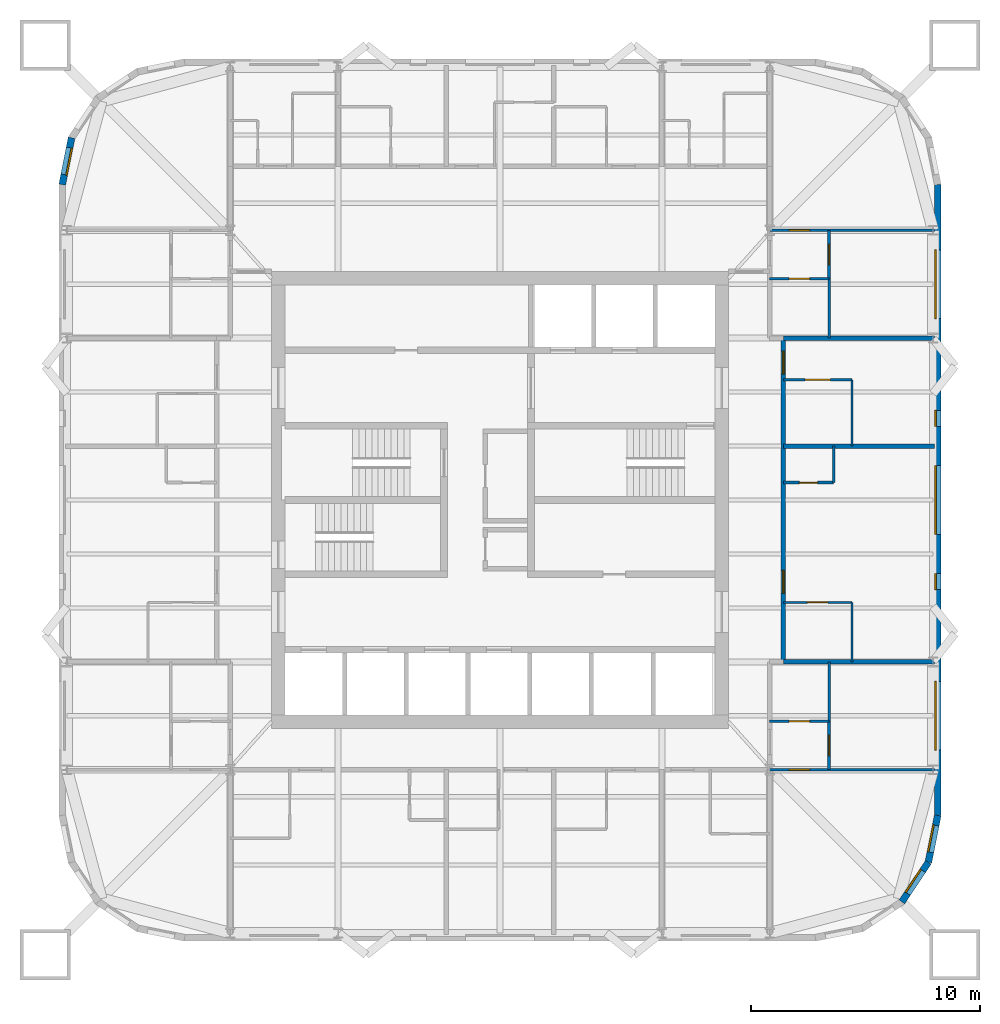
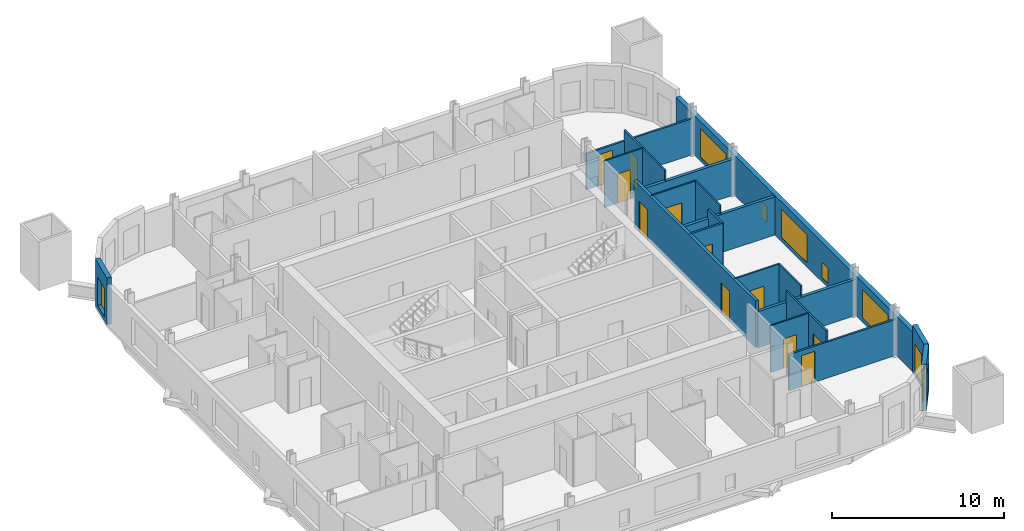
# One storey, part 6 of 9: 22 walls, 11 doors, 8 windows, 19 openings.
"""IFC4 building model written with IfcOpenShell, lengths in metres."""

from ifc_helpers import new_model, si_unit, direction, frame, frame_2d, origin, place, context, subcontext, project, spatial, rectangle, extrude, material, layer, layer_set, type_object, element, fill, save


model = new_model("IFC4")

# Units and contexts
model_context = context("Model", 3, precision=1e-05, world=origin(), true_north=direction((0.0, 1.0)))
body_context = subcontext(model_context, "Body", "Model", "MODEL_VIEW")
ifc_project = project(units=[si_unit("LENGTHUNIT", "METRE"), si_unit("AREAUNIT", "SQUARE_METRE"), si_unit("VOLUMEUNIT", "CUBIC_METRE"), si_unit("PLANEANGLEUNIT", "RADIAN"), si_unit("MASSUNIT", "GRAM", prefix="KILO")], contexts=[model_context])

# Site, building, storey
site_placement = place(None, origin())
site = spatial("IfcSite", under=ifc_project, at=site_placement, CompositionType="ELEMENT")
building_placement = place(site_placement, origin())
building = spatial("IfcBuilding", under=site, at=building_placement, Name="Turquesa Mirador Hotel Tower", CompositionType="ELEMENT")
storey_placement = place(building_placement, frame((0.0, 0.0, 182.800048828125)))
storey = spatial("IfcBuildingStorey", under=building, at=storey_placement, Name="L49", CompositionType="ELEMENT", Elevation=182.800048828125)

# Wall, opening, door
ifc_material_1 = material(Name="Gypsum board on steel studs", Category="steel")
ifc_layer_1 = layer(ifc_material_1, 0.10009765625)
ifc_layer_set_1 = layer_set([ifc_layer_1], Name="BATHROOM WALL 100")
wall_type_1 = type_object("IfcWallType", Name="BATHROOM WALL 100", PredefinedType="PARTITIONING", material=ifc_layer_set_1)
wall_1_placement = place(storey_placement, frame((67.39990234375, 40.52001953125, 0.0), z_axis=(0.0, 0.0, 1.0), x_axis=(1.0, 0.0, 0.0)))
wall_1 = element("IfcWall", 1, at=wall_1_placement, inside=storey, type_object=wall_type_1, Name="Partition L49 010", PredefinedType="PARTITIONING", context=body_context, shape_type="SweptSolid", body=[
    extrude(rectangle(XDim=3.0, YDim=0.10009765625, at=frame_2d((1.5, 0.0))), origin(), (0.0, 0.0, 1.0), 3.329833984375),
])
opening_1_placement = place(wall_1_placement, frame((1.050048828125, 0.0, 0.0)))
opening_1 = element("IfcOpeningElement", 2, at=opening_1_placement, cuts=wall_1, Name="Opening D02", PredefinedType="OPENING", context=body_context, shape_type="SweptSolid", body=[
    extrude(rectangle(XDim=0.89990234375, YDim=2.10009765625, at=frame_2d((0.449951171875, 1.050048828125))), frame((0.0, 0.06005859375, 0.0), z_axis=(0.0, -1.0, 0.0), x_axis=(1.0, 0.0, 0.0)), (0.0, 0.0, 1.0), 0.1201171875),
])
ifc_material_2 = material(Name="Timber veneered door", Category="wood")
door_type_1 = type_object("IfcDoorType", Name="DOOR 900X2100 EN-SUITE", OperationType="SINGLE_SWING_RIGHT", PredefinedType="DOOR", material=ifc_material_2)
door_1_placement = place(opening_1_placement, origin())
door_1 = element("IfcDoor", 3, at=door_1_placement, inside=storey, type_object=door_type_1, Name="Door 4910B", OperationType="SINGLE_SWING_RIGHT", OverallHeight=2.10009765625, OverallWidth=0.89990234375, PredefinedType="DOOR", context=body_context, shape_type="SweptSolid", body=[
    extrude(rectangle(XDim=0.89990234375, YDim=2.10009765625, at=frame_2d((0.449951171875, 1.050048828125))), frame((0.0, 0.02490234375, 0.0), z_axis=(0.0, -1.0, 0.0), x_axis=(1.0, 0.0, 0.0)), (0.0, 0.0, 1.0), 0.050048828125),
])
fill(opening_1, door_1)

wall_2_placement = place(storey_placement, frame((66.800048828125, 35.320068359375, 0.0), z_axis=(0.0, 0.0, 1.0), x_axis=(1.0, 0.0, 0.0)))
wall_2 = element("IfcWall", 4, at=wall_2_placement, inside=storey, type_object=wall_type_1, Name="Partition L49 016", PredefinedType="PARTITIONING", context=body_context, shape_type="SweptSolid", body=[
    extrude(rectangle(XDim=2.599853515625, YDim=0.10009765625, at=frame_2d((1.2998046875, 0.0))), origin(), (0.0, 0.0, 1.0), 3.329833984375),
])
opening_2_placement = place(wall_2_placement, frame((0.85009765625, 0.0, 0.0)))
opening_2 = element("IfcOpeningElement", 5, at=opening_2_placement, cuts=wall_2, Name="Opening D02", PredefinedType="OPENING", context=body_context, shape_type="SweptSolid", body=[
    extrude(rectangle(XDim=0.89990234375, YDim=2.10009765625, at=frame_2d((0.449951171875, 1.050048828125))), frame((0.0, 0.06005859375, 0.0), z_axis=(0.0, -1.0, 0.0), x_axis=(1.0, 0.0, 0.0)), (0.0, 0.0, 1.0), 0.1201171875),
])
door_2_placement = place(opening_2_placement, origin())
door_2 = element("IfcDoor", 6, at=door_2_placement, inside=storey, type_object=door_type_1, Name="Door 4917B", OperationType="SINGLE_SWING_RIGHT", OverallHeight=2.10009765625, OverallWidth=0.89990234375, PredefinedType="DOOR", context=body_context, shape_type="SweptSolid", body=[
    extrude(rectangle(XDim=0.89990234375, YDim=2.10009765625, at=frame_2d((0.449951171875, 1.050048828125))), frame((0.0, 0.02490234375, 0.0), z_axis=(0.0, -1.0, 0.0), x_axis=(1.0, 0.0, 0.0)), (0.0, 0.0, 1.0), 0.050048828125),
])
fill(opening_2, door_2)

wall_3_placement = place(storey_placement, frame((67.39990234375, 50.260009765625, 0.0), z_axis=(0.0, 0.0, 1.0), x_axis=(1.0, 0.0, 0.0)))
wall_3 = element("IfcWall", 7, at=wall_3_placement, inside=storey, type_object=wall_type_1, Name="Partition L49 034", PredefinedType="PARTITIONING", context=body_context, shape_type="SweptSolid", body=[
    extrude(rectangle(XDim=3.0, YDim=0.10009765625, at=frame_2d((1.5, 0.0))), origin(), (0.0, 0.0, 1.0), 3.329833984375),
])
opening_3_placement = place(wall_3_placement, frame((0.949951171875, 0.0, 0.0)))
opening_3 = element("IfcOpeningElement", 8, at=opening_3_placement, cuts=wall_3, Name="Opening D16", PredefinedType="OPENING", context=body_context, shape_type="SweptSolid", body=[
    extrude(rectangle(XDim=1.10009765625, YDim=2.10009765625, at=frame_2d((0.550048828125, 1.050048828125))), frame((0.0, 0.06005859375, 0.0), z_axis=(0.0, -1.0, 0.0), x_axis=(1.0, 0.0, 0.0)), (0.0, 0.0, 1.0), 0.1201171875),
])
ifc_material_3 = material(Name="Timber veneered sliding door", Category="wood")
door_type_2 = type_object("IfcDoorType", Name="DOOR 1100X2100 ACCESSIBLE EN-SUITE", OperationType="SLIDING_TO_LEFT", PredefinedType="DOOR", material=ifc_material_3)
door_3_placement = place(opening_3_placement, origin())
door_3 = element("IfcDoor", 9, at=door_3_placement, inside=storey, type_object=door_type_2, Name="Door 4911B", OperationType="SLIDING_TO_LEFT", OverallHeight=2.10009765625, OverallWidth=1.10009765625, PredefinedType="DOOR", context=body_context, shape_type="SweptSolid", body=[
    extrude(rectangle(XDim=1.10009765625, YDim=2.10009765625, at=frame_2d((0.550048828125, 1.050048828125))), frame((0.0, 0.02490234375, 0.0), z_axis=(0.0, -1.0, 0.0), x_axis=(1.0, 0.0, 0.0)), (0.0, 0.0, 1.0), 0.050048828125),
])
fill(opening_3, door_3)

wall_4_placement = place(storey_placement, frame((66.800048828125, 54.679931640625, 0.0), z_axis=(0.0, 0.0, 1.0), x_axis=(1.0, 0.0, 0.0)))
wall_4 = element("IfcWall", 10, at=wall_4_placement, inside=storey, type_object=wall_type_1, Name="Partition L49 040", PredefinedType="PARTITIONING", context=body_context, shape_type="SweptSolid", body=[
    extrude(rectangle(XDim=2.599853515625, YDim=0.10009765625, at=frame_2d((1.2998046875, 0.0))), origin(), (0.0, 0.0, 1.0), 3.329833984375),
])
opening_4_placement = place(wall_4_placement, frame((0.85009765625, 0.0, 0.0)))
opening_4 = element("IfcOpeningElement", 11, at=opening_4_placement, cuts=wall_4, Name="Opening D02", PredefinedType="OPENING", context=body_context, shape_type="SweptSolid", body=[
    extrude(rectangle(XDim=0.89990234375, YDim=2.10009765625, at=frame_2d((0.449951171875, 1.050048828125))), frame((0.0, 0.06005859375, 0.0), z_axis=(0.0, -1.0, 0.0), x_axis=(1.0, 0.0, 0.0)), (0.0, 0.0, 1.0), 0.1201171875),
])
door_4_placement = place(opening_4_placement, origin())
door_4 = element("IfcDoor", 12, at=door_4_placement, inside=storey, type_object=door_type_1, Name="Door 4914B", OperationType="SINGLE_SWING_RIGHT", OverallHeight=2.10009765625, OverallWidth=0.89990234375, PredefinedType="DOOR", context=body_context, shape_type="SweptSolid", body=[
    extrude(rectangle(XDim=0.89990234375, YDim=2.10009765625, at=frame_2d((0.449951171875, 1.050048828125))), frame((0.0, 0.02490234375, 0.0), z_axis=(0.0, -1.0, 0.0), x_axis=(1.0, 0.0, 0.0)), (0.0, 0.0, 1.0), 0.050048828125),
])
fill(opening_4, door_4)

# Walls
for number, where, z_axis, x_axis, name in (
    (13, (69.39990234375, 35.320068359375, 0.0), (0.0, 0.0, 1.0), (0.0, 1.0, 0.0), "Partition L49 068"),
    (14, (69.39990234375, 52.080078125, 0.0), (0.0, 0.0, 1.0), (0.0, 1.0, 0.0), "Partition L49 069"),
):
    element("IfcWall", number, at=place(storey_placement, frame(where, z_axis=z_axis, x_axis=x_axis)), inside=storey, type_object=wall_type_1, Name=name, PredefinedType="PARTITIONING", context=body_context, shape_type="SweptSolid", body=[
        extrude(rectangle(XDim=2.599853515625, YDim=0.10009765625, at=frame_2d((1.2998046875, 0.0))), origin(), (0.0, 0.0, 1.0), 3.329833984375),
    ])
wall_5_placement = place(storey_placement, frame((70.39990234375, 37.919921875, 0.0), z_axis=(0.0, 0.0, 1.0), x_axis=(0.0, 1.0, 0.0)))
element("IfcWall", 15, at=wall_5_placement, inside=storey, type_object=wall_type_1, Name="Partition L49 073", PredefinedType="PARTITIONING", context=body_context, shape_type="SweptSolid", body=[
    extrude(rectangle(XDim=2.60009765625, YDim=0.10009765625, at=frame_2d((1.300048828125, 0.0))), origin(), (0.0, 0.0, 1.0), 3.329833984375),
])
wall_6_placement = place(storey_placement, frame((70.39990234375, 47.360107421875, 0.0), z_axis=(0.0, 0.0, 1.0), x_axis=(0.0, 1.0, 0.0)))
element("IfcWall", 16, at=wall_6_placement, inside=storey, type_object=wall_type_1, Name="Partition L49 074", PredefinedType="PARTITIONING", context=body_context, shape_type="SweptSolid", body=[
    extrude(rectangle(XDim=2.89990234375, YDim=0.10009765625, at=frame_2d((1.449951171875, 0.0))), origin(), (0.0, 0.0, 1.0), 3.329833984375),
])

# Wall, openings, doors
ifc_material_4 = material(Name="Fire-rated gypsum board on steel studs", Category="steel")
ifc_layer_2 = layer(ifc_material_4, 0.199951171875)
ifc_layer_set_2 = layer_set([ifc_layer_2], Name="CORRIDOR WALL 200")
wall_type_2 = type_object("IfcWallType", Name="CORRIDOR WALL 200", PredefinedType="PARTITIONING", material=ifc_layer_set_2)
wall_7_placement = place(storey_placement, frame((67.39990234375, 37.919921875, 0.0), z_axis=(0.0, 0.0, 1.0), x_axis=(0.0, 1.0, 0.0)))
wall_7 = element("IfcWall", 17, at=wall_7_placement, inside=storey, type_object=wall_type_2, Name="Partition L49 067", PredefinedType="PARTITIONING", context=body_context, shape_type="SweptSolid", body=[
    extrude(rectangle(XDim=14.16015625, YDim=0.199951171875, at=frame_2d((7.080078125, 0.0))), origin(), (0.0, 0.0, 1.0), 3.329833984375),
])
opening_5_placement = place(wall_7_placement, frame((3.0, 0.0, 0.0)))
opening_5 = element("IfcOpeningElement", 18, at=opening_5_placement, cuts=wall_7, Name="Opening D01", PredefinedType="OPENING", context=body_context, shape_type="SweptSolid", body=[
    extrude(rectangle(XDim=1.0, YDim=2.199951171875, at=frame_2d((0.5, 1.10009765625))), frame((0.0, 0.10986328125, 0.0), z_axis=(0.0, -1.0, 0.0), x_axis=(1.0, 0.0, 0.0)), (0.0, 0.0, 1.0), 0.219970703125),
])
opening_6_placement = place(wall_7_placement, frame((12.590087890625, 0.0, 0.0)))
opening_6 = element("IfcOpeningElement", 19, at=opening_6_placement, cuts=wall_7, Name="Opening D01", PredefinedType="OPENING", context=body_context, shape_type="SweptSolid", body=[
    extrude(rectangle(XDim=1.0, YDim=2.199951171875, at=frame_2d((0.5, 1.10009765625))), frame((0.0, 0.10986328125, 0.0), z_axis=(0.0, -1.0, 0.0), x_axis=(1.0, 0.0, 0.0)), (0.0, 0.0, 1.0), 0.219970703125),
])
ifc_material_5 = material(Name="Timber veneered fire door", Category="wood")
door_type_3 = type_object("IfcDoorType", Name="DOOR 1000X2200 GUEST ENTRY", OperationType="SINGLE_SWING_LEFT", PredefinedType="DOOR", material=ifc_material_5)
door_5_placement = place(opening_5_placement, origin())
door_5 = element("IfcDoor", 20, at=door_5_placement, inside=storey, type_object=door_type_3, Name="Door 4910", OperationType="SINGLE_SWING_LEFT", OverallHeight=2.199951171875, OverallWidth=1.0, PredefinedType="DOOR", context=body_context, shape_type="SweptSolid", body=[
    extrude(rectangle(XDim=1.0, YDim=2.199951171875, at=frame_2d((0.5, 1.10009765625))), frame((0.0, 0.02490234375, 0.0), z_axis=(0.0, -1.0, 0.0), x_axis=(1.0, 0.0, 0.0)), (0.0, 0.0, 1.0), 0.050048828125),
])
fill(opening_5, door_5)
door_6_placement = place(opening_6_placement, origin())
door_6 = element("IfcDoor", 21, at=door_6_placement, inside=storey, type_object=door_type_3, Name="Door 4911", OperationType="SINGLE_SWING_LEFT", OverallHeight=2.199951171875, OverallWidth=1.0, PredefinedType="DOOR", context=body_context, shape_type="SweptSolid", body=[
    extrude(rectangle(XDim=1.0, YDim=2.199951171875, at=frame_2d((0.5, 1.10009765625))), frame((0.0, 0.02490234375, 0.0), z_axis=(0.0, -1.0, 0.0), x_axis=(1.0, 0.0, 0.0)), (0.0, 0.0, 1.0), 0.050048828125),
])
fill(opening_6, door_6)

# Wall, opening, window
ifc_material_6 = material(Name="Limestone cladding on concrete block", Category="masonry")
ifc_layer_3 = layer(ifc_material_6, 0.300048828125)
ifc_layer_set_3 = layer_set([ifc_layer_3], Name="FACADE WALL 300 STONE SCREEN")
wall_type_3 = type_object("IfcWallType", Name="FACADE WALL 300 STONE SCREEN", PredefinedType="SOLIDWALL", material=ifc_layer_set_3)
wall_8_placement = place(storey_placement, frame((72.5830078125, 27.4169921875, 0.0), z_axis=(0.0, 0.0, 1.0), x_axis=(0.555563607591, 0.831474039234, 0.0)))
wall_8 = element("IfcWall", 22, at=wall_8_placement, inside=storey, type_object=wall_type_3, Name="Facade wall L49 02", PredefinedType="SOLIDWALL", context=body_context, shape_type="SweptSolid", body=[
    extrude(rectangle(XDim=2.08740234375, YDim=0.300048828125, at=frame_2d((1.043701171875, 0.0))), origin(), (0.0, 0.0, 1.0), 3.329833984375),
])
opening_7_placement = place(wall_8_placement, frame((0.443603515625, 0.0, 0.300048828125)))
opening_7 = element("IfcOpeningElement", 23, at=opening_7_placement, cuts=wall_8, Name="Opening WN4", PredefinedType="OPENING", context=body_context, shape_type="SweptSolid", body=[
    extrude(rectangle(XDim=1.199951171875, YDim=2.0, at=frame_2d((0.60009765625, 1.0))), frame((0.0, 0.159912109375, 0.0), z_axis=(0.0, -1.0, 0.0), x_axis=(1.0, 0.0, 0.0)), (0.0, 0.0, 1.0), 0.320068359375),
])
ifc_material_7 = material(Name="Ceramic-fritted laminated glass", Category="glass")
window_type_1 = type_object("IfcWindowType", Name="FRITTED CORNER WINDOW 1200X2000", PartitioningType="DOUBLE_PANEL_HORIZONTAL", PredefinedType="WINDOW", material=ifc_material_7)
window_1_placement = place(opening_7_placement, origin())
window_1 = element("IfcWindow", 24, at=window_1_placement, inside=storey, type_object=window_type_1, Name="Window L49", OverallHeight=2.0, OverallWidth=1.199951171875, PartitioningType="SINGLE_PANEL", PredefinedType="WINDOW", context=body_context, shape_type="SweptSolid", body=[
    extrude(rectangle(XDim=1.199951171875, YDim=2.0, at=frame_2d((0.60009765625, 1.0))), frame((0.0, 0.130126953125, 0.0), z_axis=(0.0, -1.0, 0.0), x_axis=(1.0, 0.0, 0.0)), (0.0, 0.0, 1.0), 0.06005859375),
])
fill(opening_7, window_1)

wall_9_placement = place(storey_placement, frame((73.74267578125, 29.152587890625, 0.0), z_axis=(0.0, 0.0, 1.0), x_axis=(0.195081421501, 0.980787050784, 0.0)))
wall_9 = element("IfcWall", 25, at=wall_9_placement, inside=storey, type_object=wall_type_3, Name="Facade wall L49 03", PredefinedType="SOLIDWALL", context=body_context, shape_type="SweptSolid", body=[
    extrude(rectangle(XDim=2.08740234375, YDim=0.300048828125, at=frame_2d((1.043701171875, 0.0))), origin(), (0.0, 0.0, 1.0), 3.329833984375),
])
opening_8_placement = place(wall_9_placement, frame((0.443603515625, 0.0, 0.300048828125)))
opening_8 = element("IfcOpeningElement", 26, at=opening_8_placement, cuts=wall_9, Name="Opening WN4", PredefinedType="OPENING", context=body_context, shape_type="SweptSolid", body=[
    extrude(rectangle(XDim=1.199951171875, YDim=2.0, at=frame_2d((0.60009765625, 1.0))), frame((0.0, 0.159912109375, 0.0), z_axis=(0.0, -1.0, 0.0), x_axis=(1.0, 0.0, 0.0)), (0.0, 0.0, 1.0), 0.320068359375),
])
window_2_placement = place(opening_8_placement, origin())
window_2 = element("IfcWindow", 27, at=window_2_placement, inside=storey, type_object=window_type_1, Name="Window L49", OverallHeight=2.0, OverallWidth=1.199951171875, PartitioningType="SINGLE_PANEL", PredefinedType="WINDOW", context=body_context, shape_type="SweptSolid", body=[
    extrude(rectangle(XDim=1.199951171875, YDim=2.0, at=frame_2d((0.60009765625, 1.0))), frame((0.0, 0.130126953125, 0.0), z_axis=(0.0, -1.0, 0.0), x_axis=(1.0, 0.0, 0.0)), (0.0, 0.0, 1.0), 0.06005859375),
])
fill(opening_8, window_2)

# Wall, openings, windows
wall_10_placement = place(storey_placement, frame((74.14990234375, 31.199951171875, 0.0), z_axis=(0.0, 0.0, 1.0), x_axis=(0.0, 1.0, 0.0)))
wall_10 = element("IfcWall", 28, at=wall_10_placement, inside=storey, type_object=wall_type_3, Name="Facade wall L49 04", PredefinedType="SOLIDWALL", context=body_context, shape_type="SweptSolid", body=[
    extrude(rectangle(XDim=27.60009765625, YDim=0.300048828125, at=frame_2d((13.800048828125, 0.0))), origin(), (0.0, 0.0, 1.0), 2.829833984375),
])
opening_9_placement = place(wall_10_placement, frame((2.860107421875, 0.0, 0.300048828125)))
opening_9 = element("IfcOpeningElement", 29, at=opening_9_placement, cuts=wall_10, Name="Opening WN1", PredefinedType="OPENING", context=body_context, shape_type="SweptSolid", body=[
    extrude(rectangle(XDim=3.0, YDim=2.0, at=frame_2d((1.5, 1.0))), frame((0.0, 0.159912109375, 0.0), z_axis=(0.0, -1.0, 0.0), x_axis=(1.0, 0.0, 0.0)), (0.0, 0.0, 1.0), 0.320068359375),
])
opening_10_placement = place(wall_10_placement, frame((9.8798828125, 0.0, 0.300048828125)))
opening_10 = element("IfcOpeningElement", 30, at=opening_10_placement, cuts=wall_10, Name="Opening WN33", PredefinedType="OPENING", context=body_context, shape_type="SweptSolid", body=[
    extrude(rectangle(XDim=0.699951171875, YDim=1.10009765625, at=frame_2d((0.35009765625, 0.550048828125))), frame((0.0, 0.159912109375, 0.0), z_axis=(0.0, -1.0, 0.0), x_axis=(1.0, 0.0, 0.0)), (0.0, 0.0, 1.0), 0.320068359375),
])
opening_11_placement = place(wall_10_placement, frame((12.300048828125, 0.0, 0.300048828125)))
opening_11 = element("IfcOpeningElement", 31, at=opening_11_placement, cuts=wall_10, Name="Opening WN1", PredefinedType="OPENING", context=body_context, shape_type="SweptSolid", body=[
    extrude(rectangle(XDim=3.0, YDim=2.0, at=frame_2d((1.5, 1.0))), frame((0.0, 0.159912109375, 0.0), z_axis=(0.0, -1.0, 0.0), x_axis=(1.0, 0.0, 0.0)), (0.0, 0.0, 1.0), 0.320068359375),
])
opening_12_placement = place(wall_10_placement, frame((17.02001953125, 0.0, 0.300048828125)))
opening_12 = element("IfcOpeningElement", 32, at=opening_12_placement, cuts=wall_10, Name="Opening WN33", PredefinedType="OPENING", context=body_context, shape_type="SweptSolid", body=[
    extrude(rectangle(XDim=0.699951171875, YDim=1.10009765625, at=frame_2d((0.35009765625, 0.550048828125))), frame((0.0, 0.159912109375, 0.0), z_axis=(0.0, -1.0, 0.0), x_axis=(1.0, 0.0, 0.0)), (0.0, 0.0, 1.0), 0.320068359375),
])
opening_13_placement = place(wall_10_placement, frame((21.739990234375, 0.0, 0.300048828125)))
opening_13 = element("IfcOpeningElement", 33, at=opening_13_placement, cuts=wall_10, Name="Opening WN1", PredefinedType="OPENING", context=body_context, shape_type="SweptSolid", body=[
    extrude(rectangle(XDim=3.0, YDim=2.0, at=frame_2d((1.5, 1.0))), frame((0.0, 0.159912109375, 0.0), z_axis=(0.0, -1.0, 0.0), x_axis=(1.0, 0.0, 0.0)), (0.0, 0.0, 1.0), 0.320068359375),
])
ifc_material_8 = material(Name="Ceramic-fritted laminated glass", Category="glass")
window_type_2 = type_object("IfcWindowType", Name="FRITTED WINDOW 3000X2000", PartitioningType="DOUBLE_PANEL_HORIZONTAL", PredefinedType="WINDOW", material=ifc_material_8)
window_3_placement = place(opening_9_placement, origin())
window_3 = element("IfcWindow", 34, at=window_3_placement, inside=storey, type_object=window_type_2, Name="Window L49", OverallHeight=2.0, OverallWidth=3.0, PartitioningType="SINGLE_PANEL", PredefinedType="WINDOW", context=body_context, shape_type="SweptSolid", body=[
    extrude(rectangle(XDim=3.0, YDim=2.0, at=frame_2d((1.5, 1.0))), frame((0.0, 0.130126953125, 0.0), z_axis=(0.0, -1.0, 0.0), x_axis=(1.0, 0.0, 0.0)), (0.0, 0.0, 1.0), 0.06005859375),
])
fill(opening_9, window_3)
window_4_placement = place(opening_11_placement, origin())
window_4 = element("IfcWindow", 35, at=window_4_placement, inside=storey, type_object=window_type_2, Name="Window L49", OverallHeight=2.0, OverallWidth=3.0, PartitioningType="SINGLE_PANEL", PredefinedType="WINDOW", context=body_context, shape_type="SweptSolid", body=[
    extrude(rectangle(XDim=3.0, YDim=2.0, at=frame_2d((1.5, 1.0))), frame((0.0, 0.130126953125, 0.0), z_axis=(0.0, -1.0, 0.0), x_axis=(1.0, 0.0, 0.0)), (0.0, 0.0, 1.0), 0.06005859375),
])
fill(opening_11, window_4)
window_5_placement = place(opening_13_placement, origin())
window_5 = element("IfcWindow", 36, at=window_5_placement, inside=storey, type_object=window_type_2, Name="Window L49", OverallHeight=2.0, OverallWidth=3.0, PartitioningType="SINGLE_PANEL", PredefinedType="WINDOW", context=body_context, shape_type="SweptSolid", body=[
    extrude(rectangle(XDim=3.0, YDim=2.0, at=frame_2d((1.5, 1.0))), frame((0.0, 0.130126953125, 0.0), z_axis=(0.0, -1.0, 0.0), x_axis=(1.0, 0.0, 0.0)), (0.0, 0.0, 1.0), 0.06005859375),
])
fill(opening_13, window_5)
ifc_material_9 = material(Name="Ceramic-fritted laminated glass", Category="glass")
window_type_3 = type_object("IfcWindowType", Name="FRITTED WINDOW 700X1100", PartitioningType="DOUBLE_PANEL_HORIZONTAL", PredefinedType="WINDOW", material=ifc_material_9)
window_6_placement = place(opening_10_placement, origin())
window_6 = element("IfcWindow", 37, at=window_6_placement, inside=storey, type_object=window_type_3, Name="Window L49", OverallHeight=1.10009765625, OverallWidth=0.699951171875, PartitioningType="SINGLE_PANEL", PredefinedType="WINDOW", context=body_context, shape_type="SweptSolid", body=[
    extrude(rectangle(XDim=0.699951171875, YDim=1.10009765625, at=frame_2d((0.35009765625, 0.550048828125))), frame((0.0, 0.130126953125, 0.0), z_axis=(0.0, -1.0, 0.0), x_axis=(1.0, 0.0, 0.0)), (0.0, 0.0, 1.0), 0.06005859375),
])
fill(opening_10, window_6)
window_7_placement = place(opening_12_placement, origin())
window_7 = element("IfcWindow", 38, at=window_7_placement, inside=storey, type_object=window_type_3, Name="Window L49", OverallHeight=1.10009765625, OverallWidth=0.699951171875, PartitioningType="SINGLE_PANEL", PredefinedType="WINDOW", context=body_context, shape_type="SweptSolid", body=[
    extrude(rectangle(XDim=0.699951171875, YDim=1.10009765625, at=frame_2d((0.35009765625, 0.550048828125))), frame((0.0, 0.130126953125, 0.0), z_axis=(0.0, -1.0, 0.0), x_axis=(1.0, 0.0, 0.0)), (0.0, 0.0, 1.0), 0.06005859375),
])
fill(opening_12, window_7)

# Wall, opening, window
wall_11_placement = place(storey_placement, frame((36.25732421875, 60.847412109375, 0.0), z_axis=(0.0, 0.0, 1.0), x_axis=(-0.195081421501, -0.980787050784, 0.0)))
wall_11 = element("IfcWall", 39, at=wall_11_placement, inside=storey, type_object=wall_type_3, Name="Facade wall L49 13", PredefinedType="SOLIDWALL", context=body_context, shape_type="SweptSolid", body=[
    extrude(rectangle(XDim=2.08740234375, YDim=0.300048828125, at=frame_2d((1.043701171875, 0.0))), origin(), (0.0, 0.0, 1.0), 3.329833984375),
])
opening_14_placement = place(wall_11_placement, frame((0.443603515625, 0.0, 0.300048828125)))
opening_14 = element("IfcOpeningElement", 40, at=opening_14_placement, cuts=wall_11, Name="Opening WN4", PredefinedType="OPENING", context=body_context, shape_type="SweptSolid", body=[
    extrude(rectangle(XDim=1.199951171875, YDim=2.0, at=frame_2d((0.60009765625, 1.0))), frame((0.0, 0.159912109375, 0.0), z_axis=(0.0, -1.0, 0.0), x_axis=(1.0, 0.0, 0.0)), (0.0, 0.0, 1.0), 0.320068359375),
])
window_8_placement = place(opening_14_placement, origin())
window_8 = element("IfcWindow", 41, at=window_8_placement, inside=storey, type_object=window_type_1, Name="Window L49", OverallHeight=2.0, OverallWidth=1.199951171875, PartitioningType="SINGLE_PANEL", PredefinedType="WINDOW", context=body_context, shape_type="SweptSolid", body=[
    extrude(rectangle(XDim=1.199951171875, YDim=2.0, at=frame_2d((0.60009765625, 1.0))), frame((0.0, 0.130126953125, 0.0), z_axis=(0.0, -1.0, 0.0), x_axis=(1.0, 0.0, 0.0)), (0.0, 0.0, 1.0), 0.06005859375),
])
fill(opening_14, window_8)

# Walls
ifc_material_10 = material(Name="Fire-rated gypsum board on steel studs", Category="steel")
ifc_layer_4 = layer(ifc_material_10, 0.199951171875)
ifc_layer_set_4 = layer_set([ifc_layer_4], Name="PARTY WALL 200")
wall_type_4 = type_object("IfcWallType", Name="PARTY WALL 200", PredefinedType="PARTITIONING", material=ifc_layer_set_4)
wall_12_placement = place(storey_placement, frame((67.39990234375, 37.919921875, 0.0), z_axis=(0.0, 0.0, 1.0), x_axis=(1.0, 0.0, 0.0)))
element("IfcWall", 42, at=wall_12_placement, inside=storey, type_object=wall_type_4, Name="Partition L49 014", PredefinedType="PARTITIONING", context=body_context, shape_type="SweptSolid", body=[
    extrude(rectangle(XDim=6.60009765625, YDim=0.199951171875, at=frame_2d((3.300048828125, 0.0))), origin(), (0.0, 0.0, 1.0), 2.572998046875),
])
wall_13_placement = place(storey_placement, frame((67.39990234375, 47.360107421875, 0.0), z_axis=(0.0, 0.0, 1.0), x_axis=(1.0, 0.0, 0.0)))
element("IfcWall", 43, at=wall_13_placement, inside=storey, type_object=wall_type_4, Name="Partition L49 032", PredefinedType="PARTITIONING", context=body_context, shape_type="SweptSolid", body=[
    extrude(rectangle(XDim=6.60009765625, YDim=0.199951171875, at=frame_2d((3.300048828125, 0.0))), origin(), (0.0, 0.0, 1.0), 2.73046875),
])
wall_14_placement = place(storey_placement, frame((67.39990234375, 52.080078125, 0.0), z_axis=(0.0, 0.0, 1.0), x_axis=(1.0, 0.0, 0.0)))
element("IfcWall", 44, at=wall_14_placement, inside=storey, type_object=wall_type_4, Name="Partition L49 038", PredefinedType="PARTITIONING", context=body_context, shape_type="SweptSolid", body=[
    extrude(rectangle(XDim=6.60009765625, YDim=0.199951171875, at=frame_2d((3.300048828125, 0.0))), origin(), (0.0, 0.0, 1.0), 2.572998046875),
])

# Wall, opening, door
ifc_material_11 = material(Name="Acoustic gypsum board on steel studs", Category="steel")
ifc_layer_5 = layer(ifc_material_11, 0.125)
ifc_layer_set_5 = layer_set([ifc_layer_5], Name="SUITE PARTITION 125")
wall_type_5 = type_object("IfcWallType", Name="SUITE PARTITION 125", PredefinedType="PARTITIONING", material=ifc_layer_set_5)
wall_15_placement = place(storey_placement, frame((66.800048828125, 33.199951171875, 0.0), z_axis=(0.0, 0.0, 1.0), x_axis=(1.0, 0.0, 0.0)))
wall_15 = element("IfcWall", 45, at=wall_15_placement, inside=storey, type_object=wall_type_5, Name="Partition L49 003", PredefinedType="PARTITIONING", context=body_context, shape_type="SweptSolid", body=[
    extrude(rectangle(XDim=7.199951171875, YDim=0.125, at=frame_2d((3.60009765625, 0.0))), origin(), (0.0, 0.0, 1.0), 2.572998046875),
])
opening_15_placement = place(wall_15_placement, frame((0.85009765625, 0.0, 0.0)))
opening_15 = element("IfcOpeningElement", 46, at=opening_15_placement, cuts=wall_15, Name="Opening D17", PredefinedType="OPENING", context=body_context, shape_type="SweptSolid", body=[
    extrude(rectangle(XDim=0.89990234375, YDim=2.199951171875, at=frame_2d((0.449951171875, 1.10009765625))), frame((0.0, 0.072509765625, 0.0), z_axis=(0.0, -1.0, 0.0), x_axis=(1.0, 0.0, 0.0)), (0.0, 0.0, 1.0), 0.14501953125),
])
ifc_material_12 = material(Name="Timber veneered door", Category="wood")
door_type_4 = type_object("IfcDoorType", Name="DOOR 900X2200 SUITE INTERNAL", OperationType="SINGLE_SWING_LEFT", PredefinedType="DOOR", material=ifc_material_12)
door_7_placement = place(opening_15_placement, origin())
door_7 = element("IfcDoor", 47, at=door_7_placement, inside=storey, type_object=door_type_4, Name="Door 4917", OperationType="SINGLE_SWING_LEFT", OverallHeight=2.199951171875, OverallWidth=0.89990234375, PredefinedType="DOOR", context=body_context, shape_type="SweptSolid", body=[
    extrude(rectangle(XDim=0.89990234375, YDim=2.199951171875, at=frame_2d((0.449951171875, 1.10009765625))), frame((0.0, 0.02490234375, 0.0), z_axis=(0.0, -1.0, 0.0), x_axis=(1.0, 0.0, 0.0)), (0.0, 0.0, 1.0), 0.050048828125),
])
fill(opening_15, door_7)

wall_16_placement = place(storey_placement, frame((67.39990234375, 45.760009765625, 0.0), z_axis=(0.0, 0.0, 1.0), x_axis=(1.0, 0.0, 0.0)))
wall_16 = element("IfcWall", 48, at=wall_16_placement, inside=storey, type_object=wall_type_5, Name="Partition L49 018", PredefinedType="PARTITIONING", context=body_context, shape_type="SweptSolid", body=[
    extrude(rectangle(XDim=2.2001953125, YDim=0.125, at=frame_2d((1.10009765625, 0.0))), origin(), (0.0, 0.0, 1.0), 3.329833984375),
])
opening_16_placement = place(wall_16_placement, frame((0.699951171875, 0.0, 0.0)))
opening_16 = element("IfcOpeningElement", 49, at=opening_16_placement, cuts=wall_16, Name="Opening D20", PredefinedType="OPENING", context=body_context, shape_type="SweptSolid", body=[
    extrude(rectangle(XDim=0.800048828125, YDim=2.10009765625, at=frame_2d((0.39990234375, 1.050048828125))), frame((0.0, 0.072509765625, 0.0), z_axis=(0.0, -1.0, 0.0), x_axis=(1.0, 0.0, 0.0)), (0.0, 0.0, 1.0), 0.14501953125),
])
ifc_material_13 = material(Name="Timber veneered sliding door", Category="wood")
door_type_5 = type_object("IfcDoorType", Name="DOOR 800X2100 WARDROBE", OperationType="SLIDING_TO_LEFT", PredefinedType="DOOR", material=ifc_material_13)
door_8_placement = place(opening_16_placement, origin())
door_8 = element("IfcDoor", 50, at=door_8_placement, inside=storey, type_object=door_type_5, Name="Door 4910W", OperationType="SLIDING_TO_LEFT", OverallHeight=2.10009765625, OverallWidth=0.800048828125, PredefinedType="DOOR", context=body_context, shape_type="SweptSolid", body=[
    extrude(rectangle(XDim=0.800048828125, YDim=2.10009765625, at=frame_2d((0.39990234375, 1.050048828125))), frame((0.0, 0.02490234375, 0.0), z_axis=(0.0, -1.0, 0.0), x_axis=(1.0, 0.0, 0.0)), (0.0, 0.0, 1.0), 0.050048828125),
])
fill(opening_16, door_8)

wall_17_placement = place(storey_placement, frame((66.800048828125, 56.800048828125, 0.0), z_axis=(0.0, 0.0, 1.0), x_axis=(1.0, 0.0, 0.0)))
wall_17 = element("IfcWall", 51, at=wall_17_placement, inside=storey, type_object=wall_type_5, Name="Partition L49 022", PredefinedType="PARTITIONING", context=body_context, shape_type="SweptSolid", body=[
    extrude(rectangle(XDim=7.199951171875, YDim=0.125, at=frame_2d((3.60009765625, 0.0))), origin(), (0.0, 0.0, 1.0), 2.572998046875),
])
opening_17_placement = place(wall_17_placement, frame((0.85009765625, 0.0, 0.0)))
opening_17 = element("IfcOpeningElement", 52, at=opening_17_placement, cuts=wall_17, Name="Opening D17", PredefinedType="OPENING", context=body_context, shape_type="SweptSolid", body=[
    extrude(rectangle(XDim=0.89990234375, YDim=2.199951171875, at=frame_2d((0.449951171875, 1.10009765625))), frame((0.0, 0.072509765625, 0.0), z_axis=(0.0, -1.0, 0.0), x_axis=(1.0, 0.0, 0.0)), (0.0, 0.0, 1.0), 0.14501953125),
])
door_9_placement = place(opening_17_placement, origin())
door_9 = element("IfcDoor", 53, at=door_9_placement, inside=storey, type_object=door_type_4, Name="Door 4914", OperationType="SINGLE_SWING_LEFT", OverallHeight=2.199951171875, OverallWidth=0.89990234375, PredefinedType="DOOR", context=body_context, shape_type="SweptSolid", body=[
    extrude(rectangle(XDim=0.89990234375, YDim=2.199951171875, at=frame_2d((0.449951171875, 1.10009765625))), frame((0.0, 0.02490234375, 0.0), z_axis=(0.0, -1.0, 0.0), x_axis=(1.0, 0.0, 0.0)), (0.0, 0.0, 1.0), 0.050048828125),
])
fill(opening_17, door_9)

wall_18_placement = place(storey_placement, frame((69.39990234375, 33.199951171875, 0.0), z_axis=(0.0, 0.0, 1.0), x_axis=(0.0, 1.0, 0.0)))
wall_18 = element("IfcWall", 54, at=wall_18_placement, inside=storey, type_object=wall_type_5, Name="Partition L49 070", PredefinedType="PARTITIONING", context=body_context, shape_type="SweptSolid", body=[
    extrude(rectangle(XDim=2.1201171875, YDim=0.125, at=frame_2d((1.06005859375, 0.0))), origin(), (0.0, 0.0, 1.0), 3.329833984375),
])
opening_18_placement = place(wall_18_placement, frame((0.610107421875, 0.0, 0.0)))
opening_18 = element("IfcOpeningElement", 55, at=opening_18_placement, cuts=wall_18, Name="Opening D17", PredefinedType="OPENING", context=body_context, shape_type="SweptSolid", body=[
    extrude(rectangle(XDim=0.89990234375, YDim=2.199951171875, at=frame_2d((0.449951171875, 1.10009765625))), frame((0.0, 0.072509765625, 0.0), z_axis=(0.0, -1.0, 0.0), x_axis=(1.0, 0.0, 0.0)), (0.0, 0.0, 1.0), 0.14501953125),
])
door_10_placement = place(opening_18_placement, origin())
door_10 = element("IfcDoor", 56, at=door_10_placement, inside=storey, type_object=door_type_4, Name="Door 4917R", OperationType="SINGLE_SWING_LEFT", OverallHeight=2.199951171875, OverallWidth=0.89990234375, PredefinedType="DOOR", context=body_context, shape_type="SweptSolid", body=[
    extrude(rectangle(XDim=0.89990234375, YDim=2.199951171875, at=frame_2d((0.449951171875, 1.10009765625))), frame((0.0, 0.02490234375, 0.0), z_axis=(0.0, -1.0, 0.0), x_axis=(1.0, 0.0, 0.0)), (0.0, 0.0, 1.0), 0.050048828125),
])
fill(opening_18, door_10)

wall_19_placement = place(storey_placement, frame((69.39990234375, 54.679931640625, 0.0), z_axis=(0.0, 0.0, 1.0), x_axis=(0.0, 1.0, 0.0)))
wall_19 = element("IfcWall", 57, at=wall_19_placement, inside=storey, type_object=wall_type_5, Name="Partition L49 071", PredefinedType="PARTITIONING", context=body_context, shape_type="SweptSolid", body=[
    extrude(rectangle(XDim=2.1201171875, YDim=0.125, at=frame_2d((1.06005859375, 0.0))), origin(), (0.0, 0.0, 1.0), 3.329833984375),
])
opening_19_placement = place(wall_19_placement, frame((0.610107421875, 0.0, 0.0)))
opening_19 = element("IfcOpeningElement", 58, at=opening_19_placement, cuts=wall_19, Name="Opening D17", PredefinedType="OPENING", context=body_context, shape_type="SweptSolid", body=[
    extrude(rectangle(XDim=0.89990234375, YDim=2.199951171875, at=frame_2d((0.449951171875, 1.10009765625))), frame((0.0, 0.072509765625, 0.0), z_axis=(0.0, -1.0, 0.0), x_axis=(1.0, 0.0, 0.0)), (0.0, 0.0, 1.0), 0.14501953125),
])
door_11_placement = place(opening_19_placement, origin())
door_11 = element("IfcDoor", 59, at=door_11_placement, inside=storey, type_object=door_type_4, Name="Door 4914R", OperationType="SINGLE_SWING_LEFT", OverallHeight=2.199951171875, OverallWidth=0.89990234375, PredefinedType="DOOR", context=body_context, shape_type="SweptSolid", body=[
    extrude(rectangle(XDim=0.89990234375, YDim=2.199951171875, at=frame_2d((0.449951171875, 1.10009765625))), frame((0.0, 0.02490234375, 0.0), z_axis=(0.0, -1.0, 0.0), x_axis=(1.0, 0.0, 0.0)), (0.0, 0.0, 1.0), 0.050048828125),
])
fill(opening_19, door_11)

# Wall
wall_20_placement = place(storey_placement, frame((69.60009765625, 45.760009765625, 0.0), z_axis=(0.0, 0.0, 1.0), x_axis=(0.0, 1.0, 0.0)))
element("IfcWall", 60, at=wall_20_placement, inside=storey, type_object=wall_type_5, Name="Partition L49 072", PredefinedType="PARTITIONING", context=body_context, shape_type="SweptSolid", body=[
    extrude(rectangle(XDim=1.60009765625, YDim=0.125, at=frame_2d((0.800048828125, 0.0))), origin(), (0.0, 0.0, 1.0), 3.329833984375),
])

save(model, "model.ifc")
